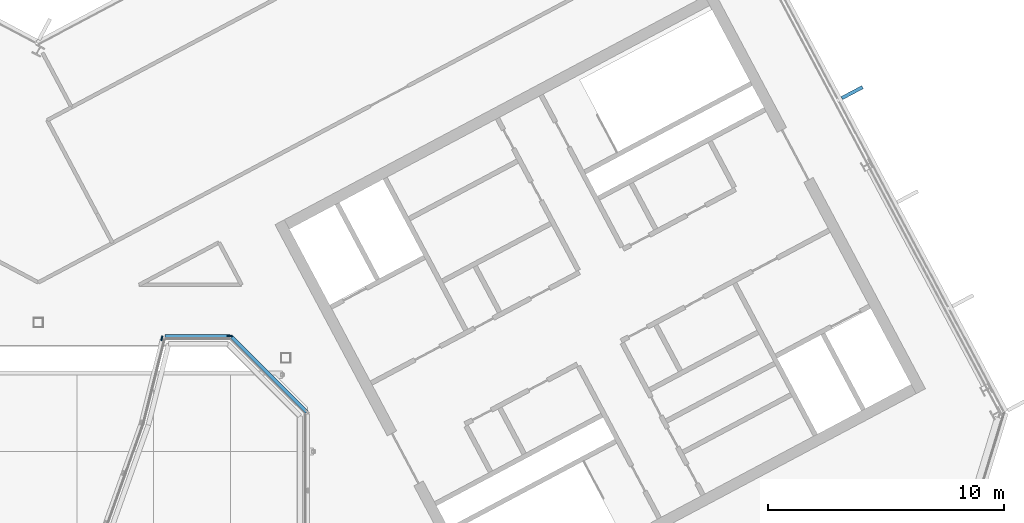
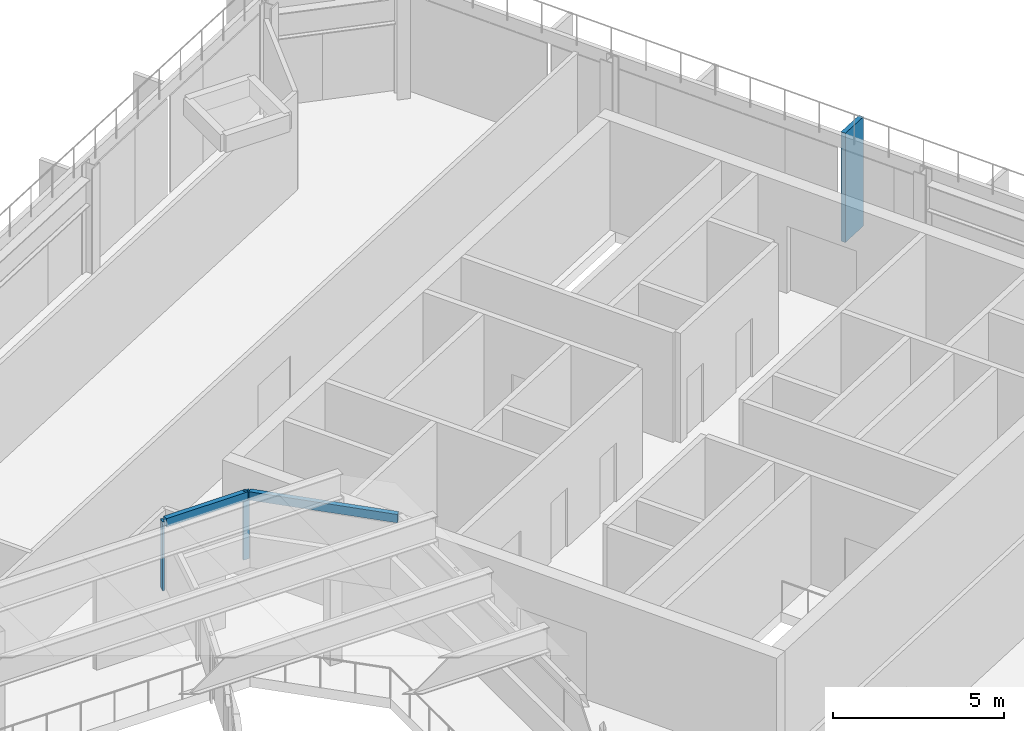
# One storey, part 18 of 35: 5 members, 4 elements without a shape of their own.
"""IFC4 building model written with IfcOpenShell, lengths in metres."""

from ifc_helpers import new_model, si_unit, direction, frame, origin, origin_2d, place, context, subcontext, project, spatial, rectangle, extrude, material, layer, layer_set, material_profile, profile_set, type_object, element, aggregate, save


model = new_model("IFC4")

# Units and contexts
model_context = context("Model", 3, precision=1e-05, world=origin(), true_north=direction((0.0, 1.0)))
body_context = subcontext(model_context, "Body", "Model", "MODEL_VIEW")
ifc_project = project(units=[si_unit("LENGTHUNIT", "METRE"), si_unit("AREAUNIT", "SQUARE_METRE"), si_unit("VOLUMEUNIT", "CUBIC_METRE"), si_unit("PLANEANGLEUNIT", "RADIAN"), si_unit("MASSUNIT", "GRAM", prefix="KILO")], contexts=[model_context])

# Site, building, storey
site_placement = place(None, origin())
site = spatial("IfcSite", under=ifc_project, at=site_placement, CompositionType="ELEMENT")
building_placement = place(site_placement, origin())
building = spatial("IfcBuilding", under=site, at=building_placement, Name="Cormorant Relay Tower", CompositionType="ELEMENT")
storey_placement = place(building_placement, frame((0.0, 0.0, 324.300048828125)))
storey = spatial("IfcBuildingStorey", under=building, at=storey_placement, Name="L74", CompositionType="ELEMENT", Elevation=324.300048828125)

# Curtain wall, member
ifc_material_1 = material(Name="Aluminium 6063-T6 anodised bronze", Category="aluminium")
ifc_layer_1 = layer(ifc_material_1, 0.199951171875)
ifc_layer_set_1 = layer_set([ifc_layer_1], Name="CW1 unitised bronze curtain wall with vertical fins")
curtain_wall_type_1 = type_object("IfcCurtainWallType", Name="CW1 unitised bronze curtain wall with vertical fins", PredefinedType="NOTDEFINED", material=ifc_layer_set_1)
curtain_wall_1_placement = place(storey_placement, origin())
curtain_wall_1 = element("IfcCurtainWall", 1, at=curtain_wall_1_placement, inside=storey, type_object=curtain_wall_type_1, Name="CW1 curtain wall 6", PredefinedType="NOTDEFINED")
ifc_material_2 = material(Name="Aluminium 6063-T6 anodised bronze", Category="aluminium")
ifc_material_profile_1 = material_profile(ifc_material_2, rectangle(XDim=0.14990234375, YDim=1.0, at=origin_2d()), Name="AL 150x1000")
ifc_profile_set_1 = profile_set([ifc_material_profile_1], Name="Aluminium 6063-T6 anodised bronze")
member_type_1 = type_object("IfcMemberType", Name="CW1 bronze fin mullion 150 x 1000", PredefinedType="MULLION", material=ifc_profile_set_1)
member_1_placement = place(storey_placement, frame((34.527587890625, 21.75634765625, 0.0), z_axis=(0.0, 0.0, 1.0), x_axis=(-0.469471562786, 0.882947592859, 0.0)))
member_1 = element("IfcMember", 2, at=member_1_placement, type_object=member_type_1, Name="CW1 fin 6.4", PredefinedType="MULLION", context=body_context, shape_type="SweptSolid", body=[
    extrude(rectangle(XDim=0.14990234375, YDim=1.0, at=origin_2d()), origin(), (0.0, 0.0, 1.0), 3.89990234375),
])
aggregate(curtain_wall_1, [member_1])

ifc_material_3 = material(Name="Aluminium 6063-T6 anodised bronze", Category="aluminium")
ifc_layer_2 = layer(ifc_material_3, 0.199951171875)
ifc_layer_set_2 = layer_set([ifc_layer_2], Name="CW5 atrium lantern curtain wall")
curtain_wall_type_2 = type_object("IfcCurtainWallType", Name="CW5 atrium lantern curtain wall", PredefinedType="NOTDEFINED", material=ifc_layer_set_2)
curtain_wall_2_placement = place(storey_placement, origin())
curtain_wall_2 = element("IfcCurtainWall", 3, at=curtain_wall_2_placement, inside=storey, type_object=curtain_wall_type_2, Name="CW5 atrium lantern wall 1", PredefinedType="NOTDEFINED")
ifc_material_4 = material(Name="Aluminium 6063-T6 anodised bronze", Category="aluminium")
ifc_material_profile_2 = material_profile(ifc_material_4, rectangle(XDim=0.199951171875, YDim=0.06005859375, at=origin_2d()), Name="AL 60x200")
ifc_profile_set_2 = profile_set([ifc_material_profile_2], Name="Aluminium 6063-T6 anodised bronze")
member_type_2 = type_object("IfcMemberType", Name="CW5 bronze mullion 60 x 200", PredefinedType="MULLION", material=ifc_profile_set_2)
member_2_placement = place(storey_placement, frame((5.240478515625, 11.333984375, 3.89990234375), z_axis=(0.0, 0.0, 1.0), x_axis=(-0.242980179903, -0.970031253195, 0.0)))
member_2 = element("IfcMember", 4, at=member_2_placement, type_object=member_type_2, Name="CW5 mullion 1.1", PredefinedType="MULLION", context=body_context, shape_type="SweptSolid", body=[
    extrude(rectangle(XDim=0.199951171875, YDim=0.06005859375, at=origin_2d()), origin(), (0.0, 0.0, 1.0), 2.449951171875),
])
aggregate(curtain_wall_2, [member_2])

curtain_wall_3_placement = place(storey_placement, origin())
curtain_wall_3 = element("IfcCurtainWall", 5, at=curtain_wall_3_placement, inside=storey, type_object=curtain_wall_type_2, Name="CW5 atrium lantern wall 11", PredefinedType="NOTDEFINED")
member_3_placement = place(storey_placement, frame((8.124267578125, 11.43994140625, 3.89990234375), z_axis=(0.0, 0.0, 1.0), x_axis=(-1.0, 0.0, 0.0)))
member_3 = element("IfcMember", 6, at=member_3_placement, type_object=member_type_2, Name="CW5 mullion 11.1", PredefinedType="MULLION", context=body_context, shape_type="SweptSolid", body=[
    extrude(rectangle(XDim=0.199951171875, YDim=0.06005859375, at=origin_2d()), origin(), (0.0, 0.0, 1.0), 2.449951171875),
])

curtain_wall_4_placement = place(storey_placement, origin())
curtain_wall_4 = element("IfcCurtainWall", 7, at=curtain_wall_4_placement, inside=storey, type_object=curtain_wall_type_2, Name="CW5 atrium lantern wall 10", PredefinedType="NOTDEFINED")
ifc_material_5 = material(Name="Aluminium 6063-T6 anodised bronze", Category="aluminium")
ifc_material_profile_3 = material_profile(ifc_material_5, rectangle(XDim=0.159912109375, YDim=0.300048828125, at=origin_2d()), Name="AL 160x300")
ifc_profile_set_3 = profile_set([ifc_material_profile_3], Name="Aluminium 6063-T6 anodised bronze")
member_type_3 = type_object("IfcMemberType", Name="CW5 bronze transom 160 x 300", PredefinedType="USERDEFINED", material=ifc_profile_set_3)
member_4_placement = place(storey_placement, frame((11.385009765625, 8.208984375, 6.199951171875), z_axis=(-0.707106781187, 0.707106781187, 0.0), x_axis=(-0.707106781187, -0.707106781187, 0.0)))
member_4 = element("IfcMember", 8, at=member_4_placement, type_object=member_type_3, Name="CW5 transom 10", ObjectType="TRANSOM", PredefinedType="USERDEFINED", context=body_context, shape_type="SweptSolid", body=[
    extrude(rectangle(XDim=0.159912109375, YDim=0.300048828125, at=origin_2d()), origin(), (0.0, 0.0, 1.0), 4.49169921875),
])
aggregate(curtain_wall_4, [member_4])

# Member
member_5_placement = place(storey_placement, frame((8.124267578125, 11.419921875, 6.199951171875), z_axis=(-1.0, 0.0, 0.0), x_axis=(0.0, -1.0, 0.0)))
member_5 = element("IfcMember", 9, at=member_5_placement, type_object=member_type_3, Name="CW5 transom 11", ObjectType="TRANSOM", PredefinedType="USERDEFINED", context=body_context, shape_type="SweptSolid", body=[
    extrude(rectangle(XDim=0.159912109375, YDim=0.300048828125, at=origin_2d()), origin(), (0.0, 0.0, 1.0), 2.748046875),
])

aggregate(curtain_wall_3, [member_3, member_5])

save(model, "model.ifc")
